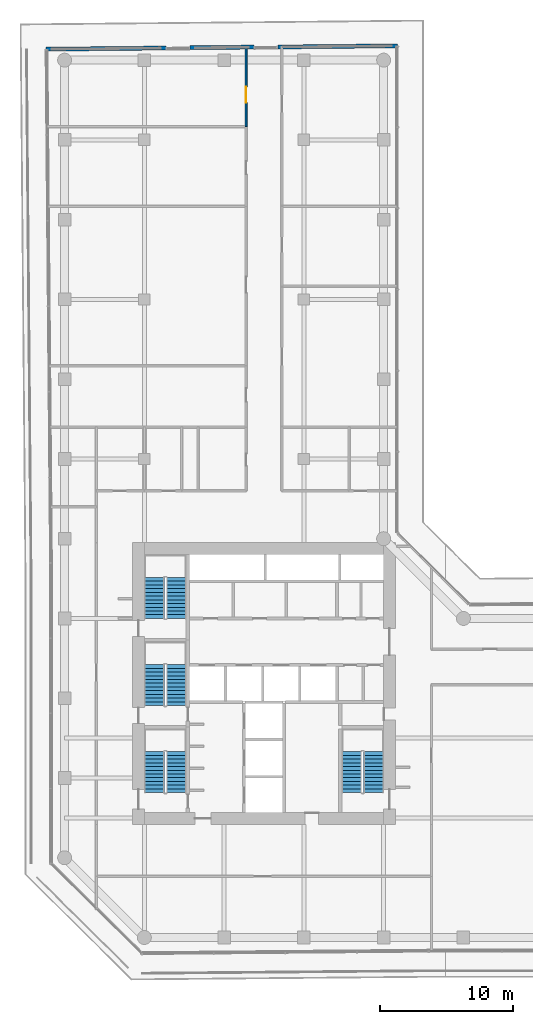
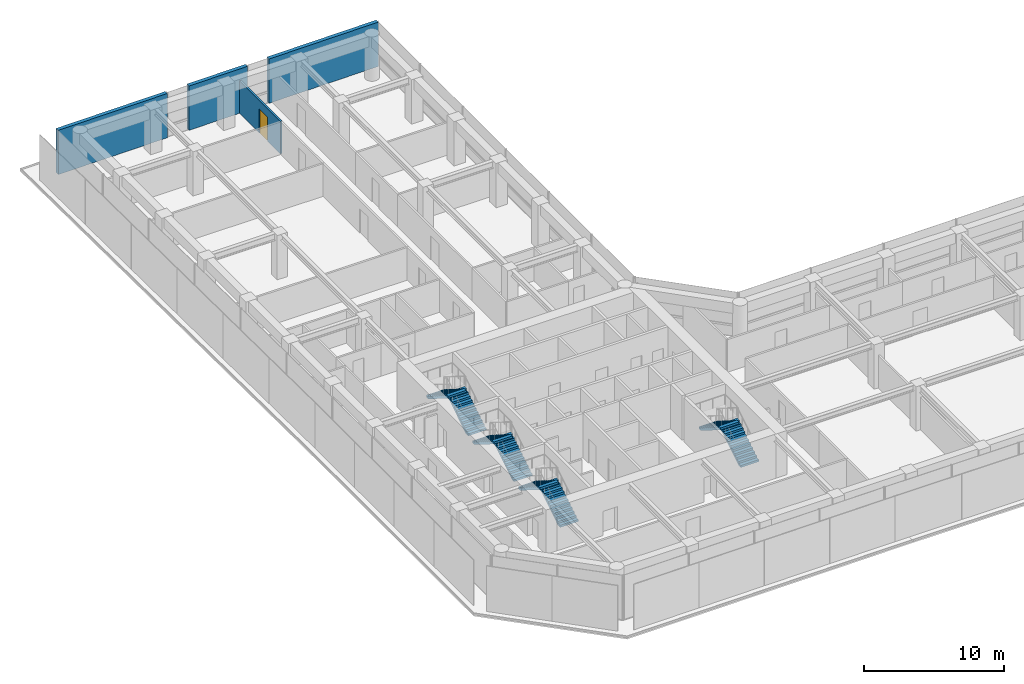
# One storey, part 26 of 28: 8 stair flights, 4 walls, 1 door, 1 opening, 4 elements without a shape of their own.
"""IFC4 building model written with IfcOpenShell, lengths in metres."""

import ifcopenshell
import ifcopenshell.guid

model = None  # the IFC model being written
_history = None  # IfcOwnerHistory: only IFC2X3 demands one
_inside = {}  # id of a spatial element -> (the spatial element, [elements in it])
_under = {}  # id of a project, library or spatial element -> (it, [spatial elements below it])
_declared = {}  # id of a project -> (the project, [libraries it declares])
_typed = {}  # id of a type object -> (the type object, [elements of that type])
_made_of = {}  # id of a material, layer set ... -> (it, [elements and type objects made of it])


def new_model(schema):
    """Start an empty IFC model of exactly this schema.

    Asked for "IFC4X3", IfcOpenShell would pick the latest addendum, in which some entities
    have other attributes; the version numbers below select the first issue.
    IFC2X3 requires an IfcOwnerHistory on every rooted entity: one is made here for all.
    """
    global model, _history
    if schema == "IFC4X3":
        model = ifcopenshell.file(schema_version=(4, 3, 0, 0))
    else:
        model = ifcopenshell.file(schema=schema)
    _inside.clear()
    _under.clear()
    _declared.clear()
    _typed.clear()
    _made_of.clear()
    _history = None
    if model.schema == "IFC2X3":
        org = make("IfcOrganization", Name="unknown")
        user = make(
            "IfcPersonAndOrganization",
            ThePerson=make("IfcPerson", FamilyName="unknown"),
            TheOrganization=org,
        )
        app = make(
            "IfcApplication",
            ApplicationDeveloper=org,
            Version="unknown",
            ApplicationFullName="unknown",
            ApplicationIdentifier="unknown",
        )
        _history = make(
            "IfcOwnerHistory",
            OwningUser=user,
            OwningApplication=app,
            ChangeAction="ADDED",
            CreationDate=0,
        )
    return model


def make(cls, **values):
    """One entity of the class cls with the attributes given. An attribute that is None is left unset."""
    return model.create_entity(
        cls, **{name: value for name, value in values.items() if value is not None}
    )


def rooted(cls, **values):
    """An entity with a GlobalId (a new one), such as an element, a storey or a relation."""
    return make(cls, GlobalId=ifcopenshell.guid.new(), OwnerHistory=_history, **values)


def si_unit(unit_type, name, prefix=None):
    """IfcSIUnit, for example si_unit("LENGTHUNIT", "METRE", prefix="MILLI")."""
    return make("IfcSIUnit", UnitType=unit_type, Prefix=prefix, Name=name)


def assignment(units):
    """IfcUnitAssignment: the units of a project."""
    return None if units is None else make("IfcUnitAssignment", Units=units)


def point(xyz):
    """IfcCartesianPoint."""
    return None if xyz is None else make("IfcCartesianPoint", Coordinates=xyz)


def direction(xyz):
    """IfcDirection."""
    return None if xyz is None else make("IfcDirection", DirectionRatios=xyz)


def frame(location, z_axis=None, x_axis=None):
    """IfcAxis2Placement3D, a coordinate frame: its origin and axes. An axis left out is left unset."""
    return make(
        "IfcAxis2Placement3D",
        Location=point(location),
        Axis=direction(z_axis),
        RefDirection=direction(x_axis),
    )


def frame_2d(location, x_axis=None):
    """IfcAxis2Placement2D, a coordinate frame in the plane: its origin and x axis."""
    return make(
        "IfcAxis2Placement2D", Location=point(location), RefDirection=direction(x_axis)
    )


def origin():
    """The frame at (0, 0, 0) with its axes left unset."""
    return frame((0.0, 0.0, 0.0))


def place(relative_to, where):
    """IfcLocalPlacement: puts the frame where relative to a parent placement (None: the world)."""
    return make(
        "IfcLocalPlacement", PlacementRelTo=relative_to, RelativePlacement=where
    )


def context(
    kind, dimensions, precision=None, world=None, true_north=None, identifier=None
):
    """IfcGeometricRepresentationContext, for example the 3D "Model" context."""
    return make(
        "IfcGeometricRepresentationContext",
        ContextIdentifier=identifier,
        ContextType=kind,
        CoordinateSpaceDimension=dimensions,
        Precision=precision,
        WorldCoordinateSystem=world,
        TrueNorth=true_north,
    )


def subcontext(parent, identifier, kind, view, scale=None):
    """IfcGeometricRepresentationSubContext, for example "Body" below "Model"."""
    return make(
        "IfcGeometricRepresentationSubContext",
        ContextIdentifier=identifier,
        ContextType=kind,
        ParentContext=parent,
        TargetScale=scale,
        TargetView=view,
    )


def project(units=None, contexts=None):
    """IfcProject with its units and contexts."""
    return rooted(
        "IfcProject",
        Name="project",
        RepresentationContexts=contexts,
        UnitsInContext=assignment(units),
    )


def spatial(cls, under=None, at=None, **own):
    """A site, building, storey or space (cls), placed at a placement, below another one or the project."""
    s = rooted(cls, ObjectPlacement=at, **own)
    if under is not None:
        _under.setdefault(under.id(), (under, []))[1].append(s)
    return s


def polyline(points):
    """IfcPolyline through the points."""
    return make("IfcPolyline", Points=[point(p) for p in points])


def profile(cls, at=None, kind="AREA", **sizes):
    """A parametric profile (cls). Its sizes go by their IFC names, for example OverallWidth=200.0."""
    return make(cls, ProfileType=kind, Position=at, **sizes)


def rectangle(**sizes):
    """IfcRectangleProfileDef."""
    return profile("IfcRectangleProfileDef", **sizes)


def outline(outer, holes=None, kind="AREA"):
    """IfcArbitraryClosedProfileDef: a profile drawn as a closed curve; with holes, ...WithVoids."""
    if holes is None:
        return make("IfcArbitraryClosedProfileDef", ProfileType=kind, OuterCurve=outer)
    return make(
        "IfcArbitraryProfileDefWithVoids",
        ProfileType=kind,
        OuterCurve=outer,
        InnerCurves=holes,
    )


def extrude(swept, where, along, depth):
    """IfcExtrudedAreaSolid: the profile swept, set in the frame where, extruded along a direction by depth."""
    return make(
        "IfcExtrudedAreaSolid",
        SweptArea=swept,
        Position=where,
        ExtrudedDirection=direction(along),
        Depth=depth,
    )


def shape(context_of_items, identifier, shape_type, items):
    """IfcShapeRepresentation: the items that make up one representation, for example the "Body"."""
    return make(
        "IfcShapeRepresentation",
        ContextOfItems=context_of_items,
        RepresentationIdentifier=identifier,
        RepresentationType=shape_type,
        Items=items,
    )


def material(Name=None, Category=None):
    """IfcMaterial."""
    return make("IfcMaterial", Name=Name, Category=Category)


def layer(
    of_material, thickness, ventilated=None, Name=None, Category=None, Priority=None
):
    """IfcMaterialLayer: one layer of a wall or slab, of a material (None: an air gap)."""
    return make(
        "IfcMaterialLayer",
        Material=of_material,
        LayerThickness=thickness,
        IsVentilated=ventilated,
        Name=Name,
        Category=Category,
        Priority=Priority,
    )


def layer_set(layers, Name=None):
    """IfcMaterialLayerSet."""
    return make("IfcMaterialLayerSet", MaterialLayers=layers, LayerSetName=Name)


def made_of(thing, what):
    """Note that an element or type object is made of a material, layer set ...; save() writes the relation."""
    if what is not None:
        _made_of.setdefault(what.id(), (what, []))[1].append(thing)
    return thing


def type_object(cls, material=None, **own):
    """A type object (cls), such as IfcWallType, which elements share."""
    return made_of(rooted(cls, **own), material)


def element(
    cls,
    number,
    at=None,
    inside=None,
    cuts=None,
    type_object=None,
    material=None,
    context=None,
    identifier="Body",
    shape_type=None,
    held_by="IfcProductDefinitionShape",
    body=None,
    shapes=None,
    **own,
):
    """One element of the class cls, such as IfcWall. Its Tag is "e" and its number.

    at: its placement. inside: the storey or other place that contains it. cuts: it is an
    opening in that element (IfcRelVoidsElement). A single representation is given by context,
    identifier, shape_type and body (its items); several are given by shapes. held_by: the class
    of the entity that holds the representations. save() writes the other relations.
    """
    e = rooted(cls, Tag="e%d" % number, ObjectPlacement=at, **own)
    if body is not None:
        shapes = [shape(context, identifier, shape_type, body)]
    if shapes is not None:
        e.Representation = make(held_by, Representations=shapes)
    if inside is not None:
        _inside.setdefault(inside.id(), (inside, []))[1].append(e)
    if cuts is not None:
        rooted(
            "IfcRelVoidsElement", RelatingBuildingElement=cuts, RelatedOpeningElement=e
        )
    if type_object is not None:
        _typed.setdefault(type_object.id(), (type_object, []))[1].append(e)
    return made_of(e, material)


def fill(opening, filler):
    """IfcRelFillsElement: the door or window that sits in an opening."""
    return rooted(
        "IfcRelFillsElement",
        RelatingOpeningElement=opening,
        RelatedBuildingElement=filler,
    )


def aggregate(whole, parts):
    """IfcRelAggregates: a whole, such as a stair, and the parts it consists of."""
    return rooted("IfcRelAggregates", RelatingObject=whole, RelatedObjects=parts)


def save(model, path):
    """Write the relations noted so far, then the file.

    IfcRelAggregates (storeys below a building ...), IfcRelContainedInSpatialStructure (elements
    in a storey), IfcRelDefinesByType, IfcRelAssociatesMaterial and IfcRelDeclares: one each for
    every whole, place, type object, material and project.
    """
    for whole, parts in _under.values():
        aggregate(whole, parts)
    for where, things in _inside.values():
        rooted(
            "IfcRelContainedInSpatialStructure",
            RelatedElements=things,
            RelatingStructure=where,
        )
    for kind, things in _typed.values():
        rooted("IfcRelDefinesByType", RelatedObjects=things, RelatingType=kind)
    for what, things in _made_of.values():
        rooted("IfcRelAssociatesMaterial", RelatedObjects=things, RelatingMaterial=what)
    for by, libraries in _declared.values():
        rooted("IfcRelDeclares", RelatingContext=by, RelatedDefinitions=libraries)
    model.write(path)


model = new_model("IFC4")

# Units and contexts
model_context = context("Model", 3, precision=1e-05, world=origin(), true_north=direction((0.0, 1.0)))
body_context = subcontext(model_context, "Body", "Model", "MODEL_VIEW")
ifc_project = project(units=[si_unit("LENGTHUNIT", "METRE"), si_unit("AREAUNIT", "SQUARE_METRE"), si_unit("VOLUMEUNIT", "CUBIC_METRE"), si_unit("PLANEANGLEUNIT", "RADIAN"), si_unit("MASSUNIT", "GRAM", prefix="KILO")], contexts=[model_context])

# Site, building, storey
site_placement = place(None, origin())
site = spatial("IfcSite", under=ifc_project, at=site_placement, CompositionType="ELEMENT")
building_placement = place(site_placement, origin())
building = spatial("IfcBuilding", under=site, at=building_placement, Name="Welwitschia Terrace Campus", CompositionType="ELEMENT")
storey_placement = place(building_placement, frame((0.0, 0.0, 54.199951171875)))
storey = spatial("IfcBuildingStorey", under=building, at=storey_placement, Name="L12", CompositionType="ELEMENT", Elevation=54.199951171875)

# Wall, opening, door
ifc_material_1 = material(Name="Gypsum board on steel studs", Category="steel")
ifc_layer_1 = layer(ifc_material_1, 0.14990234375)
ifc_layer_set_1 = layer_set([ifc_layer_1], Name="Gypsum board on steel studs")
wall_type_1 = type_object("IfcWallType", Name="Corridor partition 150 EI 30", PredefinedType="PARTITIONING", material=ifc_layer_set_1)
wall_1_placement = place(storey_placement, frame((13.64990234375, 57.0, 0.0), z_axis=(0.0, 0.0, 1.0), x_axis=(0.0, 1.0, 0.0)))
wall_1 = element("IfcWall", 1, at=wall_1_placement, inside=storey, type_object=wall_type_1, Name="Partition", PredefinedType="PARTITIONING", context=body_context, shape_type="SweptSolid", body=[
    extrude(rectangle(XDim=6.010986328125, YDim=0.14990234375, at=frame_2d((3.00537109375, 0.0))), origin(), (0.0, 0.0, 1.0), 2.830078125),
])
opening_placement = place(wall_1_placement, frame((1.800048828125, 0.0, 0.0)))
opening = element("IfcOpeningElement", 2, at=opening_placement, cuts=wall_1, Name="Opening DI12", PredefinedType="OPENING", context=body_context, shape_type="SweptSolid", body=[
    extrude(rectangle(XDim=1.199951171875, YDim=2.10009765625, at=frame_2d((0.60009765625, 1.050048828125))), frame((0.0, 0.0849609375, 0.0), z_axis=(0.0, -1.0, 0.0), x_axis=(1.0, 0.0, 0.0)), (0.0, 0.0, 1.0), 0.169921875),
])
ifc_material_2 = material(Name="Timber veneered door", Category="wood")
door_type = type_object("IfcDoorType", Name="Interior door DI12", OperationType="NOTDEFINED", PredefinedType="DOOR", material=ifc_material_2)
door_placement = place(opening_placement, origin())
door = element("IfcDoor", 3, at=door_placement, inside=storey, type_object=door_type, Name="Door L12 274", OperationType="SINGLE_SWING_LEFT", OverallHeight=2.10009765625, OverallWidth=1.199951171875, PredefinedType="DOOR", context=body_context, shape_type="SweptSolid", body=[
    extrude(rectangle(XDim=1.199951171875, YDim=2.10009765625, at=frame_2d((0.60009765625, 1.050048828125))), frame((0.0, 0.02490234375, 0.0), z_axis=(0.0, -1.0, 0.0), x_axis=(1.0, 0.0, 0.0)), (0.0, 0.0, 1.0), 0.050048828125),
])
fill(opening, door)

# Walls
ifc_material_3 = material(Name="Concrete C40/50", Category="concrete")
ifc_layer_2 = layer(ifc_material_3, 0.300048828125)
ifc_layer_set_2 = layer_set([ifc_layer_2], Name="Concrete C40/50")
wall_type_2 = type_object("IfcWallType", Name="Mass wall 300", PredefinedType="SOLIDWALL", material=ifc_layer_set_2)
wall_2_placement = place(storey_placement, frame((25.057861328125, 63.07421875, 0.0), z_axis=(0.0, 0.0, 1.0), x_axis=(-0.999955642737, -0.009418734468, 0.0)))
element("IfcWall", 4, at=wall_2_placement, inside=storey, type_object=wall_type_2, Name="Mass wall L12.11.0", PredefinedType="SOLIDWALL", context=body_context, shape_type="SweptSolid", body=[
    extrude(rectangle(XDim=9.0205078125, YDim=0.300048828125, at=frame_2d((4.51025390625, 0.0))), origin(), (0.0, 0.0, 1.0), 3.85009765625),
])
wall_3_placement = place(storey_placement, frame((14.23779296875, 62.978515625, 0.0), z_axis=(0.0, 0.0, 1.0), x_axis=(-0.999955498634, -0.009434020936, 0.0)))
element("IfcWall", 5, at=wall_3_placement, inside=storey, type_object=wall_type_2, Name="Mass wall L12.11.1", PredefinedType="SOLIDWALL", context=body_context, shape_type="SweptSolid", body=[
    extrude(rectangle(XDim=4.8134765625, YDim=0.300048828125, at=frame_2d((2.40673828125, 0.0))), origin(), (0.0, 0.0, 1.0), 3.85009765625),
])
wall_4_placement = place(storey_placement, frame((7.62451171875, 62.91015625, 0.0), z_axis=(0.0, 0.0, 1.0), x_axis=(-0.999955642737, -0.009418734468, 0.0)))
element("IfcWall", 6, at=wall_4_placement, inside=storey, type_object=wall_type_2, Name="Mass wall L12.11.2", PredefinedType="SOLIDWALL", context=body_context, shape_type="SweptSolid", body=[
    extrude(rectangle(XDim=9.0205078125, YDim=0.300048828125, at=frame_2d((4.51025390625, 0.0))), origin(), (0.0, 0.0, 1.0), 3.85009765625),
])

# Stair, stair flights
ifc_material_4 = material(Name="Concrete C40/50", Category="concrete")
stair_type = type_object("IfcStairType", Name="Stair 24R 175 W1500", PredefinedType="HALF_TURN_STAIR", material=ifc_material_4)
stair_1_placement = place(storey_placement, origin())
stair_1 = element("IfcStair", 7, at=stair_1_placement, inside=storey, type_object=stair_type, Name="L12 Exit stair S1", PredefinedType="HALF_TURN_STAIR")
ifc_material_5 = material(Name="Concrete C40/50", Category="concrete")
stair_flight_type = type_object("IfcStairFlightType", Name="Stair flight 24R 175 W1500", PredefinedType="STRAIGHT", material=ifc_material_5)
stair_flight_1_placement = place(storey_placement, frame((8.39990234375, 6.89990234375, 0.0), z_axis=(0.0, 0.0, 1.0), x_axis=(0.0, 1.0, 0.0)))
stair_flight_1 = element("IfcStairFlight", 8, at=stair_flight_1_placement, type_object=stair_flight_type, Name="S1 flight 1", NumberOfRisers=12, NumberOfTreads=11, PredefinedType="STRAIGHT", RiserHeight=0.175, TreadLength=0.28, context=body_context, shape_type="SweptSolid", body=[
    extrude(outline(polyline([(0.0, 0.0), (0.0, 0.175048828125), (0.280029296875, 0.175048828125), (0.280029296875, 0.35009765625), (0.56005859375, 0.35009765625), (0.56005859375, 0.52490234375), (0.840087890625, 0.52490234375), (0.840087890625, 0.699951171875), (1.1201171875, 0.699951171875), (1.1201171875, 0.875), (1.39990234375, 0.875), (1.39990234375, 1.050048828125), (1.679931640625, 1.050048828125), (1.679931640625, 1.22509765625), (1.9599609375, 1.22509765625), (1.9599609375, 1.39990234375), (2.239990234375, 1.39990234375), (2.239990234375, 1.574951171875), (2.52001953125, 1.574951171875), (2.52001953125, 1.75), (2.800048828125, 1.75), (2.800048828125, 1.925048828125), (3.080078125, 1.925048828125), (3.080078125, 2.10009765625), (3.080078125, 1.748291015625), (0.28271484375, 0.0), (0.0, 0.0)])), frame((0.0, 0.75, 0.0), z_axis=(0.0, -1.0, 0.0), x_axis=(1.0, 0.0, 0.0)), (0.0, 0.0, 1.0), 1.5),
])
stair_flight_2_placement = place(storey_placement, frame((6.75, 9.97998046875, 2.10009765625), z_axis=(0.0, 0.0, 1.0), x_axis=(0.0, -1.0, 0.0)))
stair_flight_2 = element("IfcStairFlight", 9, at=stair_flight_2_placement, type_object=stair_flight_type, Name="S1 flight 2", NumberOfRisers=12, NumberOfTreads=11, PredefinedType="STRAIGHT", RiserHeight=0.175, TreadLength=0.28, context=body_context, shape_type="SweptSolid", body=[
    extrude(outline(polyline([(0.0, 0.0), (0.0, 0.175048828125), (0.280029296875, 0.175048828125), (0.280029296875, 0.35009765625), (0.56005859375, 0.35009765625), (0.56005859375, 0.52490234375), (0.840087890625, 0.52490234375), (0.840087890625, 0.699951171875), (1.1201171875, 0.699951171875), (1.1201171875, 0.875), (1.39990234375, 0.875), (1.39990234375, 1.050048828125), (1.679931640625, 1.050048828125), (1.679931640625, 1.22509765625), (1.9599609375, 1.22509765625), (1.9599609375, 1.39990234375), (2.239990234375, 1.39990234375), (2.239990234375, 1.574951171875), (2.52001953125, 1.574951171875), (2.52001953125, 1.75), (2.800048828125, 1.75), (2.800048828125, 1.925048828125), (3.080078125, 1.925048828125), (3.080078125, 2.10009765625), (3.080078125, 1.748291015625), (0.28271484375, 0.0), (0.0, 0.0)])), frame((0.0, 0.75, 0.0), z_axis=(0.0, -1.0, 0.0), x_axis=(1.0, 0.0, 0.0)), (0.0, 0.0, 1.0), 1.5),
])
aggregate(stair_1, [stair_flight_1, stair_flight_2])

stair_2_placement = place(storey_placement, origin())
stair_2 = element("IfcStair", 10, at=stair_2_placement, inside=storey, type_object=stair_type, Name="L12 Exit stair S3", PredefinedType="HALF_TURN_STAIR")
stair_flight_3_placement = place(storey_placement, frame((8.39990234375, 13.449951171875, 0.0), z_axis=(0.0, 0.0, 1.0), x_axis=(0.0, 1.0, 0.0)))
stair_flight_3 = element("IfcStairFlight", 11, at=stair_flight_3_placement, type_object=stair_flight_type, Name="S3 flight 1", NumberOfRisers=12, NumberOfTreads=11, PredefinedType="STRAIGHT", RiserHeight=0.175, TreadLength=0.28, context=body_context, shape_type="SweptSolid", body=[
    extrude(outline(polyline([(0.0, 0.0), (0.0, 0.175048828125), (0.280029296875, 0.175048828125), (0.280029296875, 0.35009765625), (0.56005859375, 0.35009765625), (0.56005859375, 0.52490234375), (0.840087890625, 0.52490234375), (0.840087890625, 0.699951171875), (1.1201171875, 0.699951171875), (1.1201171875, 0.875), (1.39990234375, 0.875), (1.39990234375, 1.050048828125), (1.679931640625, 1.050048828125), (1.679931640625, 1.22509765625), (1.9599609375, 1.22509765625), (1.9599609375, 1.39990234375), (2.239990234375, 1.39990234375), (2.239990234375, 1.574951171875), (2.52001953125, 1.574951171875), (2.52001953125, 1.75), (2.800048828125, 1.75), (2.800048828125, 1.925048828125), (3.080078125, 1.925048828125), (3.080078125, 2.10009765625), (3.080078125, 1.748291015625), (0.28271484375, 0.0), (0.0, 0.0)])), frame((0.0, 0.75, 0.0), z_axis=(0.0, -1.0, 0.0), x_axis=(1.0, 0.0, 0.0)), (0.0, 0.0, 1.0), 1.5),
])
stair_flight_4_placement = place(storey_placement, frame((6.75, 16.530029296875, 2.10009765625), z_axis=(0.0, 0.0, 1.0), x_axis=(0.0, -1.0, 0.0)))
stair_flight_4 = element("IfcStairFlight", 12, at=stair_flight_4_placement, type_object=stair_flight_type, Name="S3 flight 2", NumberOfRisers=12, NumberOfTreads=11, PredefinedType="STRAIGHT", RiserHeight=0.175, TreadLength=0.28, context=body_context, shape_type="SweptSolid", body=[
    extrude(outline(polyline([(0.0, 0.0), (0.0, 0.175048828125), (0.280029296875, 0.175048828125), (0.280029296875, 0.35009765625), (0.56005859375, 0.35009765625), (0.56005859375, 0.52490234375), (0.840087890625, 0.52490234375), (0.840087890625, 0.699951171875), (1.1201171875, 0.699951171875), (1.1201171875, 0.875), (1.39990234375, 0.875), (1.39990234375, 1.050048828125), (1.679931640625, 1.050048828125), (1.679931640625, 1.22509765625), (1.9599609375, 1.22509765625), (1.9599609375, 1.39990234375), (2.239990234375, 1.39990234375), (2.239990234375, 1.574951171875), (2.52001953125, 1.574951171875), (2.52001953125, 1.75), (2.800048828125, 1.75), (2.800048828125, 1.925048828125), (3.080078125, 1.925048828125), (3.080078125, 2.10009765625), (3.080078125, 1.748291015625), (0.28271484375, 0.0), (0.0, 0.0)])), frame((0.0, 0.75, 0.0), z_axis=(0.0, -1.0, 0.0), x_axis=(1.0, 0.0, 0.0)), (0.0, 0.0, 1.0), 1.5),
])
aggregate(stair_2, [stair_flight_3, stair_flight_4])

stair_3_placement = place(storey_placement, origin())
stair_3 = element("IfcStair", 13, at=stair_3_placement, inside=storey, type_object=stair_type, Name="L12 Exit stair S4", PredefinedType="HALF_TURN_STAIR")
stair_flight_5_placement = place(storey_placement, frame((8.39990234375, 20.0, 0.0), z_axis=(0.0, 0.0, 1.0), x_axis=(0.0, 1.0, 0.0)))
stair_flight_5 = element("IfcStairFlight", 14, at=stair_flight_5_placement, type_object=stair_flight_type, Name="S4 flight 1", NumberOfRisers=12, NumberOfTreads=11, PredefinedType="STRAIGHT", RiserHeight=0.175, TreadLength=0.28, context=body_context, shape_type="SweptSolid", body=[
    extrude(outline(polyline([(0.0, 0.0), (0.0, 0.175048828125), (0.280029296875, 0.175048828125), (0.280029296875, 0.35009765625), (0.56005859375, 0.35009765625), (0.56005859375, 0.52490234375), (0.840087890625, 0.52490234375), (0.840087890625, 0.699951171875), (1.1201171875, 0.699951171875), (1.1201171875, 0.875), (1.39990234375, 0.875), (1.39990234375, 1.050048828125), (1.679931640625, 1.050048828125), (1.679931640625, 1.22509765625), (1.9599609375, 1.22509765625), (1.9599609375, 1.39990234375), (2.239990234375, 1.39990234375), (2.239990234375, 1.574951171875), (2.52001953125, 1.574951171875), (2.52001953125, 1.75), (2.800048828125, 1.75), (2.800048828125, 1.925048828125), (3.080078125, 1.925048828125), (3.080078125, 2.10009765625), (3.080078125, 1.748291015625), (0.28271484375, 0.0), (0.0, 0.0)])), frame((0.0, 0.75, 0.0), z_axis=(0.0, -1.0, 0.0), x_axis=(1.0, 0.0, 0.0)), (0.0, 0.0, 1.0), 1.5),
])
stair_flight_6_placement = place(storey_placement, frame((6.75, 23.080078125, 2.10009765625), z_axis=(0.0, 0.0, 1.0), x_axis=(0.0, -1.0, 0.0)))
stair_flight_6 = element("IfcStairFlight", 15, at=stair_flight_6_placement, type_object=stair_flight_type, Name="S4 flight 2", NumberOfRisers=12, NumberOfTreads=11, PredefinedType="STRAIGHT", RiserHeight=0.175, TreadLength=0.28, context=body_context, shape_type="SweptSolid", body=[
    extrude(outline(polyline([(0.0, 0.0), (0.0, 0.175048828125), (0.280029296875, 0.175048828125), (0.280029296875, 0.35009765625), (0.56005859375, 0.35009765625), (0.56005859375, 0.52490234375), (0.840087890625, 0.52490234375), (0.840087890625, 0.699951171875), (1.1201171875, 0.699951171875), (1.1201171875, 0.875), (1.39990234375, 0.875), (1.39990234375, 1.050048828125), (1.679931640625, 1.050048828125), (1.679931640625, 1.22509765625), (1.9599609375, 1.22509765625), (1.9599609375, 1.39990234375), (2.239990234375, 1.39990234375), (2.239990234375, 1.574951171875), (2.52001953125, 1.574951171875), (2.52001953125, 1.75), (2.800048828125, 1.75), (2.800048828125, 1.925048828125), (3.080078125, 1.925048828125), (3.080078125, 2.10009765625), (3.080078125, 1.748291015625), (0.28271484375, 0.0), (0.0, 0.0)])), frame((0.0, 0.75, 0.0), z_axis=(0.0, -1.0, 0.0), x_axis=(1.0, 0.0, 0.0)), (0.0, 0.0, 1.0), 1.5),
])
aggregate(stair_3, [stair_flight_5, stair_flight_6])

stair_4_placement = place(storey_placement, origin())
stair_4 = element("IfcStair", 16, at=stair_4_placement, inside=storey, type_object=stair_type, Name="L12 Exit stair S2", PredefinedType="HALF_TURN_STAIR")
stair_flight_7_placement = place(storey_placement, frame((23.25, 6.89990234375, 0.0), z_axis=(0.0, 0.0, 1.0), x_axis=(0.0, 1.0, 0.0)))
stair_flight_7 = element("IfcStairFlight", 17, at=stair_flight_7_placement, type_object=stair_flight_type, Name="S2 flight 1", NumberOfRisers=12, NumberOfTreads=11, PredefinedType="STRAIGHT", RiserHeight=0.175, TreadLength=0.28, context=body_context, shape_type="SweptSolid", body=[
    extrude(outline(polyline([(0.0, 0.0), (0.0, 0.175048828125), (0.280029296875, 0.175048828125), (0.280029296875, 0.35009765625), (0.56005859375, 0.35009765625), (0.56005859375, 0.52490234375), (0.840087890625, 0.52490234375), (0.840087890625, 0.699951171875), (1.1201171875, 0.699951171875), (1.1201171875, 0.875), (1.39990234375, 0.875), (1.39990234375, 1.050048828125), (1.679931640625, 1.050048828125), (1.679931640625, 1.22509765625), (1.9599609375, 1.22509765625), (1.9599609375, 1.39990234375), (2.239990234375, 1.39990234375), (2.239990234375, 1.574951171875), (2.52001953125, 1.574951171875), (2.52001953125, 1.75), (2.800048828125, 1.75), (2.800048828125, 1.925048828125), (3.080078125, 1.925048828125), (3.080078125, 2.10009765625), (3.080078125, 1.748291015625), (0.28271484375, 0.0), (0.0, 0.0)])), frame((0.0, 0.75, 0.0), z_axis=(0.0, -1.0, 0.0), x_axis=(1.0, 0.0, 0.0)), (0.0, 0.0, 1.0), 1.5),
])
stair_flight_8_placement = place(storey_placement, frame((21.60009765625, 9.97998046875, 2.10009765625), z_axis=(0.0, 0.0, 1.0), x_axis=(0.0, -1.0, 0.0)))
stair_flight_8 = element("IfcStairFlight", 18, at=stair_flight_8_placement, type_object=stair_flight_type, Name="S2 flight 2", NumberOfRisers=12, NumberOfTreads=11, PredefinedType="STRAIGHT", RiserHeight=0.175, TreadLength=0.28, context=body_context, shape_type="SweptSolid", body=[
    extrude(outline(polyline([(0.0, 0.0), (0.0, 0.175048828125), (0.280029296875, 0.175048828125), (0.280029296875, 0.35009765625), (0.56005859375, 0.35009765625), (0.56005859375, 0.52490234375), (0.840087890625, 0.52490234375), (0.840087890625, 0.699951171875), (1.1201171875, 0.699951171875), (1.1201171875, 0.875), (1.39990234375, 0.875), (1.39990234375, 1.050048828125), (1.679931640625, 1.050048828125), (1.679931640625, 1.22509765625), (1.9599609375, 1.22509765625), (1.9599609375, 1.39990234375), (2.239990234375, 1.39990234375), (2.239990234375, 1.574951171875), (2.52001953125, 1.574951171875), (2.52001953125, 1.75), (2.800048828125, 1.75), (2.800048828125, 1.925048828125), (3.080078125, 1.925048828125), (3.080078125, 2.10009765625), (3.080078125, 1.748291015625), (0.28271484375, 0.0), (0.0, 0.0)])), frame((0.0, 0.75, 0.0), z_axis=(0.0, -1.0, 0.0), x_axis=(1.0, 0.0, 0.0)), (0.0, 0.0, 1.0), 1.5),
])
aggregate(stair_4, [stair_flight_7, stair_flight_8])

save(model, "model.ifc")
